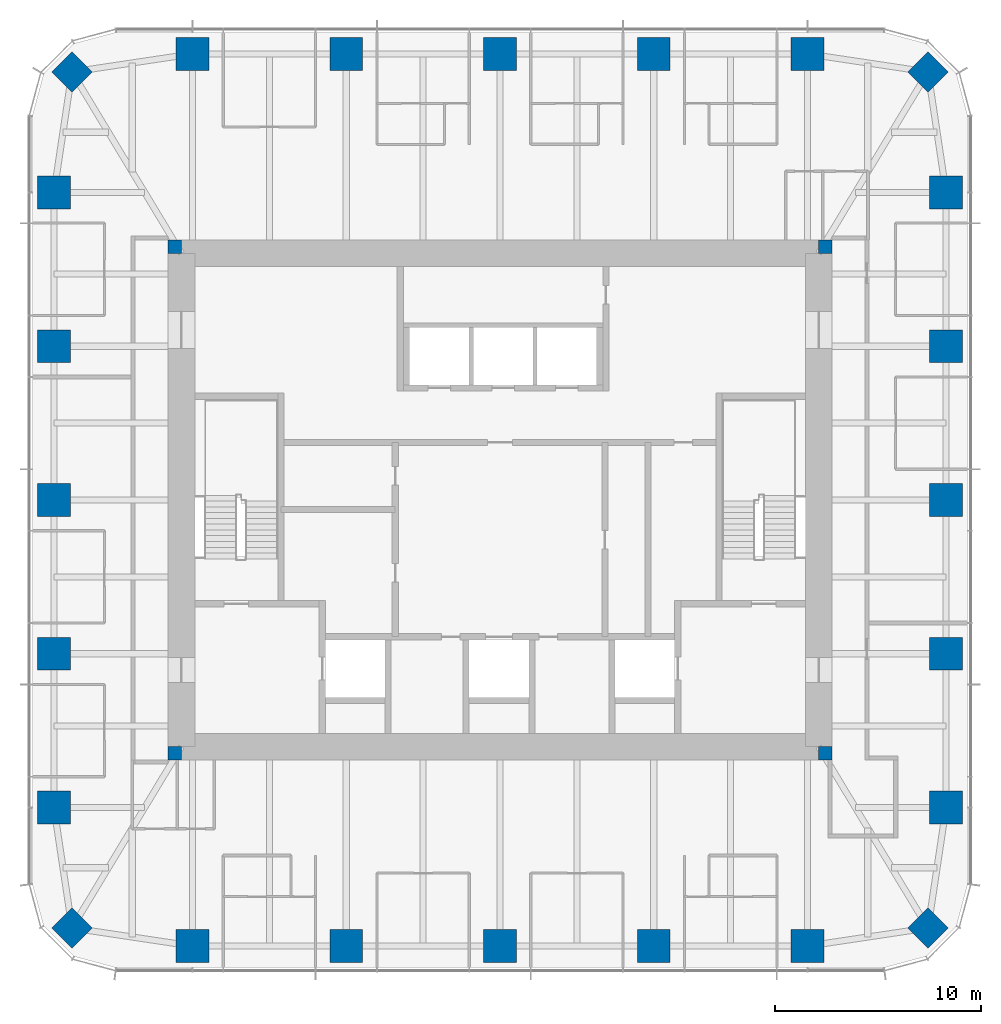
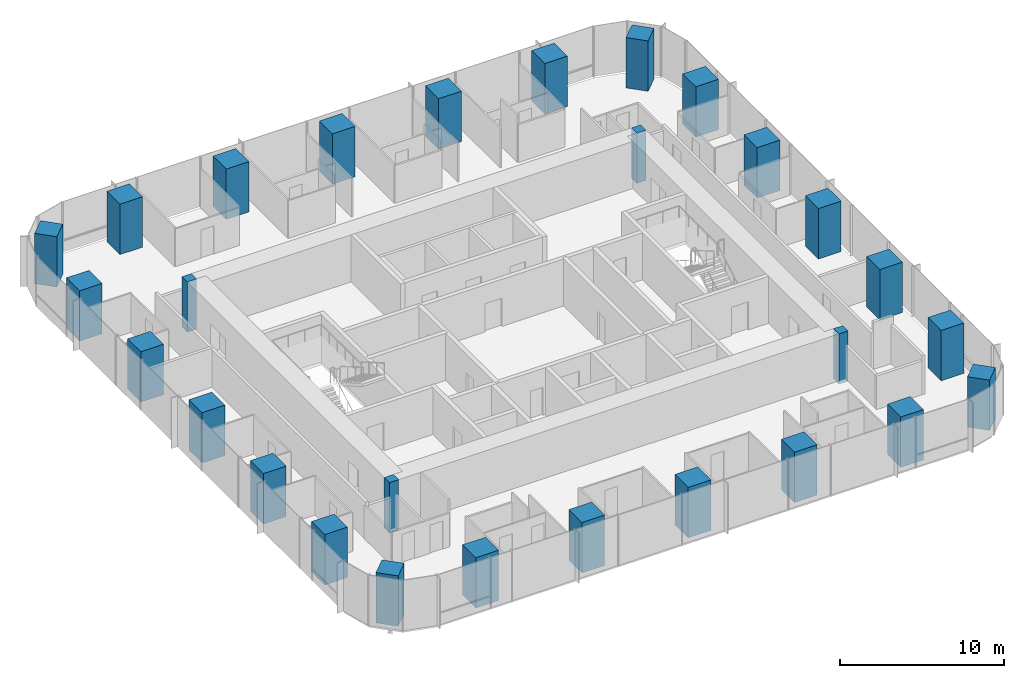
# One storey, part 1 of 12: 28 columns.
"""IFC4 building model written with IfcOpenShell, lengths in metres."""

from ifc_helpers import new_model, si_unit, direction, frame, origin, origin_2d, place, context, subcontext, project, spatial, rectangle, extrude, material, material_profile, profile_set, type_object, element, save


model = new_model("IFC4")

# Units and contexts
model_context = context("Model", 3, precision=1e-05, world=origin(), true_north=direction((0.0, 1.0)))
body_context = subcontext(model_context, "Body", "Model", "MODEL_VIEW")
ifc_project = project(units=[si_unit("LENGTHUNIT", "METRE"), si_unit("AREAUNIT", "SQUARE_METRE"), si_unit("VOLUMEUNIT", "CUBIC_METRE"), si_unit("PLANEANGLEUNIT", "RADIAN"), si_unit("MASSUNIT", "GRAM", prefix="KILO")], contexts=[model_context])

# Site, building, storey
site_placement = place(None, origin())
site = spatial("IfcSite", under=ifc_project, at=site_placement, CompositionType="ELEMENT")
building_placement = place(site_placement, origin())
building = spatial("IfcBuilding", under=site, at=building_placement, Name="Khuree Lantern Residences", CompositionType="ELEMENT")
storey_placement = place(building_placement, frame((0.0, 0.0, 345.75)))
storey = spatial("IfcBuildingStorey", under=building, at=storey_placement, Name="L87", CompositionType="ELEMENT", Elevation=345.75)

# Columns
ifc_material_1 = material(Name="Concrete C70/85", Category="concrete")
ifc_material_profile_1 = material_profile(ifc_material_1, rectangle(XDim=1.39990234375, YDim=1.39990234375, at=origin_2d()), Name="RC 1400X1400")
ifc_profile_set_1 = profile_set([ifc_material_profile_1], Name="Concrete C70/85")
column_type_1 = type_object("IfcColumnType", Name="CC1400 PERIMETER CORNER COLUMN RC 1400X1400", PredefinedType="COLUMN", material=ifc_profile_set_1)
for number, where, z_axis, x_axis, name in (
    (1, (20.8212890625, 20.8212890625, 0.0), (0.0, 0.0, 1.0), (0.707106781187, -0.707106781187, 0.0), "Perimeter column NE"),
    (2, (20.8212890625, -20.8212890625, 0.0), (0.0, 0.0, 1.0), (0.707106781187, 0.707106781187, 0.0), "Perimeter column SE"),
    (3, (-20.8212890625, -20.8212890625, 0.0), (0.0, 0.0, 1.0), (0.707106781187, -0.707106781187, 0.0), "Perimeter column SW"),
    (4, (-20.8212890625, 20.8212890625, 0.0), (0.0, 0.0, 1.0), (0.707106781187, 0.707106781187, 0.0), "Perimeter column NW"),
):
    element("IfcColumn", number, at=place(storey_placement, frame(where, z_axis=z_axis, x_axis=x_axis)), inside=storey, type_object=column_type_1, Name=name, PredefinedType="COLUMN", context=body_context, shape_type="SweptSolid", body=[
        extrude(rectangle(XDim=1.39990234375, YDim=1.39990234375, at=origin_2d()), origin(), (0.0, 0.0, 1.0), 3.75),
    ])
ifc_material_2 = material(Name="Concrete C50/60", Category="concrete")
ifc_material_profile_2 = material_profile(ifc_material_2, rectangle(XDim=0.64990234375, YDim=0.64990234375, at=origin_2d()), Name="RC 650X650")
ifc_profile_set_2 = profile_set([ifc_material_profile_2], Name="Concrete C50/60")
column_type_2 = type_object("IfcColumnType", Name="CP650-C50 CORE CORNER PIER C50 RC 650X650", PredefinedType="COLUMN", material=ifc_profile_set_2)
for number, where, z_axis, x_axis, name in (
    (5, (15.824951171875, 12.324951171875, -0.25), (0.0, 0.0, 1.0), (1.0, 0.0, 0.0), "Core corner pier NE"),
    (6, (-15.824951171875, 12.324951171875, -0.25), (0.0, 0.0, 1.0), (1.0, 0.0, 0.0), "Core corner pier NW"),
    (7, (-15.824951171875, -12.324951171875, -0.25), (0.0, 0.0, 1.0), (1.0, 0.0, 0.0), "Core corner pier SW"),
    (8, (15.824951171875, -12.324951171875, -0.25), (0.0, 0.0, 1.0), (1.0, 0.0, 0.0), "Core corner pier SE"),
):
    element("IfcColumn", number, at=place(storey_placement, frame(where, z_axis=z_axis, x_axis=x_axis)), inside=storey, type_object=column_type_2, Name=name, PredefinedType="COLUMN", context=body_context, shape_type="SweptSolid", body=[
        extrude(rectangle(XDim=0.64990234375, YDim=0.64990234375, at=origin_2d()), origin(), (0.0, 0.0, 1.0), 3.75),
    ])
ifc_material_profile_3 = material_profile(ifc_material_1, rectangle(XDim=1.60009765625, YDim=1.60009765625, at=origin_2d()), Name="RC 1600X1600")
ifc_profile_set_3 = profile_set([ifc_material_profile_3], Name="Concrete C70/85")
column_type_3 = type_object("IfcColumnType", Name="PC5 PERIMETER COLUMN RC 1600X1600", PredefinedType="COLUMN", material=ifc_profile_set_3)
for number, where, z_axis, x_axis, name in (
    (9, (-14.9599609375, 21.699951171875, 0.0), (0.0, 0.0, 1.0), (1.0, 0.0, 0.0), "Perimeter column N1"),
    (10, (-7.47998046875, 21.699951171875, 0.0), (0.0, 0.0, 1.0), (1.0, 0.0, 0.0), "Perimeter column N2"),
    (11, (0.0, 21.699951171875, 0.0), (0.0, 0.0, 1.0), (1.0, 0.0, 0.0), "Perimeter column N3"),
    (12, (7.47998046875, 21.699951171875, 0.0), (0.0, 0.0, 1.0), (1.0, 0.0, 0.0), "Perimeter column N4"),
    (13, (14.9599609375, 21.699951171875, 0.0), (0.0, 0.0, 1.0), (1.0, 0.0, 0.0), "Perimeter column N5"),
    (14, (21.699951171875, 14.9599609375, 0.0), (0.0, 0.0, 1.0), (0.0, 1.0, 0.0), "Perimeter column E1"),
    (15, (21.699951171875, 7.47998046875, 0.0), (0.0, 0.0, 1.0), (0.0, 1.0, 0.0), "Perimeter column E2"),
    (16, (21.699951171875, 0.0, 0.0), (0.0, 0.0, 1.0), (0.0, 1.0, 0.0), "Perimeter column E3"),
    (17, (21.699951171875, -7.47998046875, 0.0), (0.0, 0.0, 1.0), (0.0, 1.0, 0.0), "Perimeter column E4"),
    (18, (21.699951171875, -14.9599609375, 0.0), (0.0, 0.0, 1.0), (0.0, 1.0, 0.0), "Perimeter column E5"),
    (19, (14.9599609375, -21.699951171875, 0.0), (0.0, 0.0, 1.0), (1.0, 0.0, 0.0), "Perimeter column S1"),
    (20, (7.47998046875, -21.699951171875, 0.0), (0.0, 0.0, 1.0), (1.0, 0.0, 0.0), "Perimeter column S2"),
    (21, (0.0, -21.699951171875, 0.0), (0.0, 0.0, 1.0), (1.0, 0.0, 0.0), "Perimeter column S3"),
    (22, (-7.47998046875, -21.699951171875, 0.0), (0.0, 0.0, 1.0), (1.0, 0.0, 0.0), "Perimeter column S4"),
    (23, (-14.9599609375, -21.699951171875, 0.0), (0.0, 0.0, 1.0), (1.0, 0.0, 0.0), "Perimeter column S5"),
    (24, (-21.699951171875, -14.9599609375, 0.0), (0.0, 0.0, 1.0), (0.0, 1.0, 0.0), "Perimeter column W1"),
    (25, (-21.699951171875, -7.47998046875, 0.0), (0.0, 0.0, 1.0), (0.0, 1.0, 0.0), "Perimeter column W2"),
    (26, (-21.699951171875, 0.0, 0.0), (0.0, 0.0, 1.0), (0.0, 1.0, 0.0), "Perimeter column W3"),
    (27, (-21.699951171875, 7.47998046875, 0.0), (0.0, 0.0, 1.0), (0.0, 1.0, 0.0), "Perimeter column W4"),
    (28, (-21.699951171875, 14.9599609375, 0.0), (0.0, 0.0, 1.0), (0.0, 1.0, 0.0), "Perimeter column W5"),
):
    element("IfcColumn", number, at=place(storey_placement, frame(where, z_axis=z_axis, x_axis=x_axis)), inside=storey, type_object=column_type_3, Name=name, PredefinedType="COLUMN", context=body_context, shape_type="SweptSolid", body=[
        extrude(rectangle(XDim=1.60009765625, YDim=1.60009765625, at=origin_2d()), origin(), (0.0, 0.0, 1.0), 3.75),
    ])

save(model, "model.ifc")
